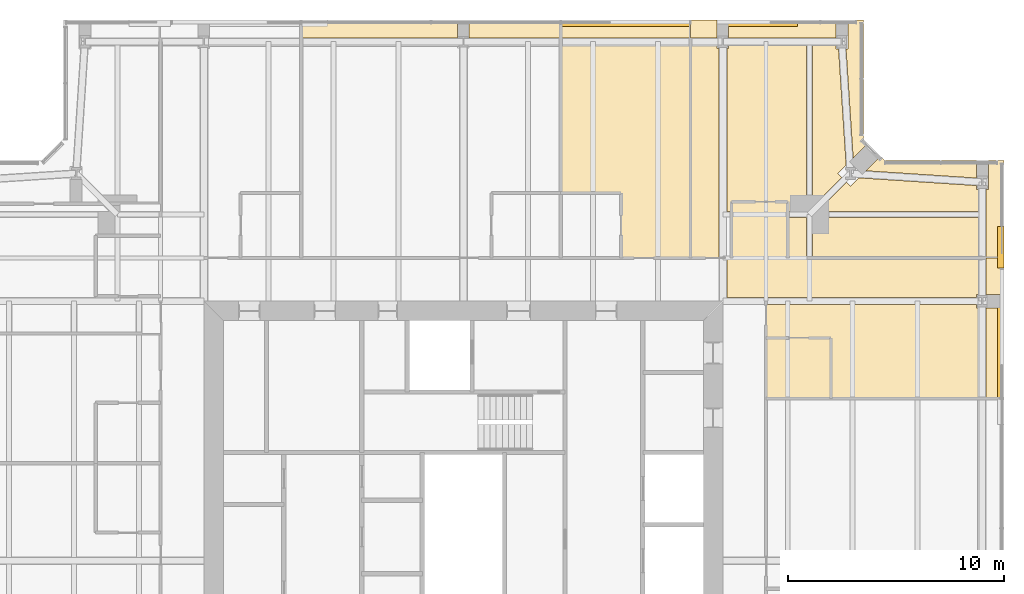
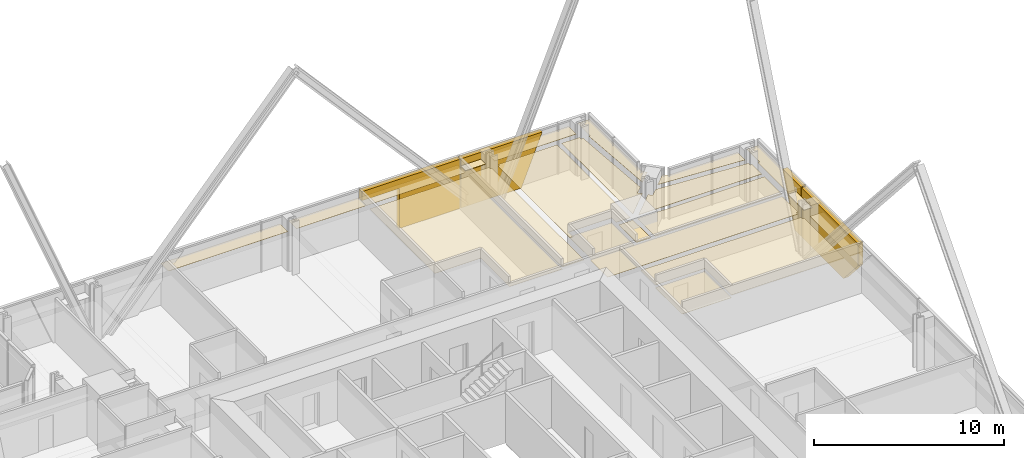
# One storey, part 18 of 18: 26 coverings.
"""IFC4 building model written with IfcOpenShell, lengths in metres."""

from ifc_helpers import new_model, si_unit, direction, frame, origin, place, context, subcontext, project, spatial, polyline, outline, extrude, material, layer, layer_set, type_object, element, save


model = new_model("IFC4")

# Units and contexts
model_context = context("Model", 3, precision=1e-05, world=origin(), true_north=direction((0.0, 1.0)))
body_context = subcontext(model_context, "Body", "Model", "MODEL_VIEW")
ifc_project = project(units=[si_unit("LENGTHUNIT", "METRE"), si_unit("AREAUNIT", "SQUARE_METRE"), si_unit("VOLUMEUNIT", "CUBIC_METRE"), si_unit("PLANEANGLEUNIT", "RADIAN"), si_unit("MASSUNIT", "GRAM", prefix="KILO")], contexts=[model_context])

# Site, building, storey
site_placement = place(None, origin())
site = spatial("IfcSite", under=ifc_project, at=site_placement, CompositionType="ELEMENT")
building_placement = place(site_placement, origin())
building = spatial("IfcBuilding", under=site, at=building_placement, Name="Fenwick Lantern Interchange", CompositionType="ELEMENT")
storey_placement = place(building_placement, frame((0.0, 0.0, 269.60009765625)))
storey = spatial("IfcBuildingStorey", under=building, at=storey_placement, Name="L64", CompositionType="ELEMENT", Elevation=269.60009765625)

# Coverings
ifc_material_1 = material(Name="Granite cladding, warm grey flamed finish, on aluminium carrier frame", Category="masonry")
ifc_layer_1 = layer(ifc_material_1, 0.300048828125)
ifc_layer_set_1 = layer_set([ifc_layer_1], Name="BRACE CASING PANEL 300")
covering_type_1 = type_object("IfcCoveringType", Name="BRACE CASING PANEL 300", PredefinedType="CLADDING", material=ifc_layer_set_1)
covering_1_placement = place(storey_placement, frame((49.89990234375, 6.60009765625, 0.0), z_axis=(0.0, 0.0, 1.0), x_axis=(0.0, 1.0, 0.0)))
element("IfcCovering", 1, at=covering_1_placement, inside=storey, type_object=covering_type_1, Name="Brace casing 05 bay 05a", PredefinedType="CLADDING", context=body_context, shape_type="SweptSolid", body=[
    extrude(outline(polyline([(27.46484375, 0.0), (31.8701171875, 0.0), (31.8701171875, 3.14990234375), (25.929931640625, 3.14990234375), (25.929931640625, 1.7392578125), (27.46484375, 0.0)])), frame((0.0, 0.2099609375, 0.0), z_axis=(0.0, -1.0, 0.0), x_axis=(1.0, 0.0, 0.0)), (0.0, 0.0, 1.0), 0.300048828125),
])
covering_2_placement = place(storey_placement, frame((49.89990234375, 6.60009765625, 0.0), z_axis=(0.0, 0.0, 1.0), x_axis=(0.0, 1.0, 0.0)))
element("IfcCovering", 2, at=covering_2_placement, inside=storey, type_object=covering_type_1, Name="Brace casing 05 bay 06a", PredefinedType="CLADDING", context=body_context, shape_type="SweptSolid", body=[
    extrude(outline(polyline([(31.929931640625, 0.0), (32.586669921875, 0.0), (33.860595703125, 3.14990234375), (31.929931640625, 3.14990234375), (31.929931640625, 0.0)])), frame((0.0, 0.2099609375, 0.0), z_axis=(0.0, -1.0, 0.0), x_axis=(1.0, 0.0, 0.0)), (0.0, 0.0, 1.0), 0.300048828125),
])
covering_3_placement = place(storey_placement, frame((43.39990234375, 49.89990234375, 0.0), z_axis=(0.0, 0.0, 1.0), x_axis=(-1.0, 0.0, 0.0)))
element("IfcCovering", 3, at=covering_3_placement, inside=storey, type_object=covering_type_1, Name="Brace casing 09 bay 01a", PredefinedType="CLADDING", context=body_context, shape_type="SweptSolid", body=[
    extrude(outline(polyline([(4.21337890625, 0.0), (7.8701171875, 0.0), (7.8701171875, 3.14990234375), (2.939453125, 3.14990234375), (4.21337890625, 0.0)])), frame((0.0, 0.2099609375, 0.0), z_axis=(0.0, -1.0, 0.0), x_axis=(1.0, 0.0, 0.0)), (0.0, 0.0, 1.0), 0.300048828125),
])
covering_4_placement = place(storey_placement, frame((43.39990234375, 49.89990234375, 0.0), z_axis=(0.0, 0.0, 1.0), x_axis=(-1.0, 0.0, 0.0)))
element("IfcCovering", 4, at=covering_4_placement, inside=storey, type_object=covering_type_1, Name="Brace casing 09 bay 02a", PredefinedType="CLADDING", context=body_context, shape_type="SweptSolid", body=[
    extrude(outline(polyline([(7.929931640625, 0.0), (11.60009765625, 0.0), (11.60009765625, 2.56689453125), (13.8701171875, 2.56689453125), (13.8701171875, 3.14990234375), (7.929931640625, 3.14990234375), (7.929931640625, 0.0)])), frame((0.0, 0.2099609375, 0.0), z_axis=(0.0, -1.0, 0.0), x_axis=(1.0, 0.0, 0.0)), (0.0, 0.0, 1.0), 0.300048828125),
])
ifc_material_2 = material(Name="Moisture resistant gypsum board on suspended frame, painted")
ifc_layer_2 = layer(ifc_material_2, 0.014892578125)
ifc_layer_set_2 = layer_set([ifc_layer_2], Name="MOISTURE RESISTANT CEILING 15")
covering_type_2 = type_object("IfcCoveringType", Name="MOISTURE RESISTANT CEILING 15", PredefinedType="CEILING", material=ifc_layer_set_2)
covering_5_placement = place(storey_placement, frame((0.0, 0.0, 2.39990234375)))
element("IfcCovering", 5, at=covering_5_placement, inside=storey, type_object=covering_type_2, Name="En-suite 6408 ceiling", PredefinedType="CEILING", context=body_context, shape_type="SweptSolid", body=[
    extrude(outline(polyline([(42.0, 32.5), (42.0, 35.300048828125), (39.0, 35.300048828125), (39.0, 32.5), (42.0, 32.5)])), origin(), (0.0, 0.0, 1.0), 0.014892578125),
])
covering_6_placement = place(storey_placement, frame((0.0, 0.0, 2.39990234375)))
element("IfcCovering", 6, at=covering_6_placement, inside=storey, type_object=covering_type_2, Name="En-suite 6409 ceiling", PredefinedType="CEILING", context=body_context, shape_type="SweptSolid", body=[
    extrude(outline(polyline([(40.0, 41.60009765625), (37.39990234375, 41.60009765625), (37.39990234375, 39.0), (40.0, 39.0), (40.0, 41.60009765625)])), origin(), (0.0, 0.0, 1.0), 0.014892578125),
])
ifc_material_3 = material(Name="Gypsum plasterboard on suspended frame, painted")
ifc_layer_3 = layer(ifc_material_3, 0.014892578125)
ifc_layer_set_3 = layer_set([ifc_layer_3], Name="PLASTERBOARD CEILING 15")
covering_type_3 = type_object("IfcCoveringType", Name="PLASTERBOARD CEILING 15", PredefinedType="CEILING", material=ifc_layer_set_3)
covering_7_placement = place(storey_placement, frame((0.0, 0.0, 2.57275390625)))
element("IfcCovering", 7, at=covering_7_placement, inside=storey, type_object=covering_type_3, Name="Corridor ceiling", PredefinedType="CEILING", context=body_context, shape_type="SweptSolid", body=[
    extrude(outline(polyline([(39.0, 39.0), (37.183837890625, 39.0), (37.183837890625, 37.166015625), (39.0, 37.166015625), (39.0, 39.0)])), origin(), (0.0, 0.0, 1.0), 0.014892578125),
])
covering_8_placement = place(storey_placement, frame((0.0, 0.0, 2.57275390625)))
element("IfcCovering", 8, at=covering_8_placement, inside=storey, type_object=covering_type_3, Name="Guest room 6408 ceiling", PredefinedType="CEILING", context=body_context, shape_type="SweptSolid", body=[
    extrude(outline(polyline([(48.72900390625, 36.6845703125), (48.72900390625, 36.833984375), (39.0, 36.833984375), (39.0, 35.300048828125), (42.0, 35.300048828125), (42.0, 32.5), (48.82763671875, 32.5), (48.82763671875, 36.6845703125), (48.72900390625, 36.6845703125)])), origin(), (0.0, 0.0, 1.0), 0.014892578125),
])
covering_9_placement = place(storey_placement, frame((0.0, 0.0, 2.57275390625)))
element("IfcCovering", 9, at=covering_9_placement, inside=storey, type_object=covering_type_3, Name="Guest room 6408 ceiling", PredefinedType="CEILING", context=body_context, shape_type="SweptSolid", body=[
    extrude(outline(polyline([(48.72900390625, 37.3154296875), (48.82763671875, 37.3154296875), (48.82763671875, 39.0), (39.0, 39.0), (39.0, 37.166015625), (48.72900390625, 37.166015625), (48.72900390625, 37.3154296875)])), origin(), (0.0, 0.0, 1.0), 0.014892578125),
])
covering_10_placement = place(storey_placement, frame((0.0, 0.0, 2.57275390625)))
element("IfcCovering", 10, at=covering_10_placement, inside=storey, type_object=covering_type_3, Name="Guest room 6408 ceiling", PredefinedType="CEILING", context=body_context, shape_type="SweptSolid", body=[
    extrude(outline(polyline([(50.0, 36.6845703125), (49.17236328125, 36.6845703125), (49.17236328125, 32.5), (50.0, 32.5), (50.0, 36.6845703125)])), origin(), (0.0, 0.0, 1.0), 0.014892578125),
])
covering_11_placement = place(storey_placement, frame((0.0, 0.0, 2.57275390625)))
element("IfcCovering", 11, at=covering_11_placement, inside=storey, type_object=covering_type_3, Name="Guest room 6408 ceiling", PredefinedType="CEILING", context=body_context, shape_type="SweptSolid", body=[
    extrude(outline(polyline([(50.0, 37.3154296875), (50.0, 39.0), (49.17236328125, 39.0), (49.17236328125, 37.3154296875), (50.0, 37.3154296875)])), origin(), (0.0, 0.0, 1.0), 0.014892578125),
])
covering_12_placement = place(storey_placement, frame((0.0, 0.0, 2.699951171875)))
element("IfcCovering", 12, at=covering_12_placement, inside=storey, type_object=covering_type_3, Name="Guest suite 6409 ceiling", PredefinedType="CEILING", context=body_context, shape_type="SweptSolid", body=[
    extrude(outline(polyline([(40.0, 41.60009765625), (40.0, 41.134521484375), (40.865478515625, 41.134521484375), (40.865478515625, 48.82763671875), (37.27099609375, 48.82763671875), (37.27099609375, 48.6845703125), (37.183837890625, 48.6845703125), (37.183837890625, 41.134521484375), (37.39990234375, 41.134521484375), (37.39990234375, 41.60009765625), (40.0, 41.60009765625)])), origin(), (0.0, 0.0, 1.0), 0.014892578125),
])
covering_13_placement = place(storey_placement, frame((0.0, 0.0, 2.699951171875)))
element("IfcCovering", 13, at=covering_13_placement, inside=storey, type_object=covering_type_3, Name="Guest suite 6409 ceiling", PredefinedType="CEILING", context=body_context, shape_type="SweptSolid", body=[
    extrude(outline(polyline([(41.134521484375, 39.0), (48.82763671875, 39.0), (48.82763671875, 40.865478515625), (41.134521484375, 40.865478515625), (41.134521484375, 39.0)])), origin(), (0.0, 0.0, 1.0), 0.014892578125),
])
covering_14_placement = place(storey_placement, frame((0.0, 0.0, 2.699951171875)))
element("IfcCovering", 14, at=covering_14_placement, inside=storey, type_object=covering_type_3, Name="Guest suite 6409 ceiling", PredefinedType="CEILING", context=body_context, shape_type="SweptSolid", body=[
    extrude(outline(polyline([(35.5, 39.0), (36.816162109375, 39.0), (36.816162109375, 48.6845703125), (36.72900390625, 48.6845703125), (36.72900390625, 48.82763671875), (35.5, 48.82763671875), (35.5, 39.0)])), origin(), (0.0, 0.0, 1.0), 0.014892578125),
])
covering_15_placement = place(storey_placement, frame((0.0, 0.0, 2.699951171875)))
element("IfcCovering", 15, at=covering_15_placement, inside=storey, type_object=covering_type_3, Name="Guest suite 6409 ceiling", PredefinedType="CEILING", context=body_context, shape_type="SweptSolid", body=[
    extrude(outline(polyline([(42.89990234375, 42.3173828125), (42.71728515625, 42.500244140625), (41.351318359375, 41.134521484375), (48.82763671875, 41.134521484375), (48.82763671875, 42.16552734375), (48.72265625, 42.16552734375), (48.72265625, 42.345458984375), (43.284423828125, 42.701904296875), (42.89990234375, 42.3173828125)])), origin(), (0.0, 0.0, 1.0), 0.014892578125),
])
covering_16_placement = place(storey_placement, frame((0.0, 0.0, 2.699951171875)))
element("IfcCovering", 16, at=covering_16_placement, inside=storey, type_object=covering_type_3, Name="Guest suite 6409 ceiling", PredefinedType="CEILING", context=body_context, shape_type="SweptSolid", body=[
    extrude(outline(polyline([(42.22265625, 48.66552734375), (42.22265625, 48.82763671875), (41.134521484375, 48.82763671875), (41.134521484375, 41.351318359375), (42.500244140625, 42.71728515625), (42.3173828125, 42.89990234375), (42.701904296875, 43.284423828125), (42.34912109375, 48.66552734375), (42.22265625, 48.66552734375)])), origin(), (0.0, 0.0, 1.0), 0.014892578125),
])
covering_17_placement = place(storey_placement, frame((0.0, 0.0, 2.699951171875)))
element("IfcCovering", 17, at=covering_17_placement, inside=storey, type_object=covering_type_3, Name="Guest suite 6409 ceiling", PredefinedType="CEILING", context=body_context, shape_type="SweptSolid", body=[
    extrude(outline(polyline([(42.77734375, 48.66552734375), (42.69482421875, 48.66552734375), (43.0263671875, 43.60888671875), (43.708740234375, 44.291259765625), (43.5, 44.5), (43.5, 50.0), (42.77734375, 50.0), (42.77734375, 48.66552734375)])), origin(), (0.0, 0.0, 1.0), 0.014892578125),
])
covering_18_placement = place(storey_placement, frame((0.0, 0.0, 2.699951171875)))
element("IfcCovering", 18, at=covering_18_placement, inside=storey, type_object=covering_type_3, Name="Guest suite 6409 ceiling", PredefinedType="CEILING", context=body_context, shape_type="SweptSolid", body=[
    extrude(outline(polyline([(37.27099609375, 50.0), (37.27099609375, 49.17236328125), (42.22265625, 49.17236328125), (42.22265625, 50.0), (37.27099609375, 50.0)])), origin(), (0.0, 0.0, 1.0), 0.014892578125),
])
covering_19_placement = place(storey_placement, frame((0.0, 0.0, 2.699951171875)))
element("IfcCovering", 19, at=covering_19_placement, inside=storey, type_object=covering_type_3, Name="Guest suite 6409 ceiling", PredefinedType="CEILING", context=body_context, shape_type="SweptSolid", body=[
    extrude(outline(polyline([(49.27734375, 43.5), (49.27734375, 42.16552734375), (49.17236328125, 42.16552734375), (49.17236328125, 39.0), (50.0, 39.0), (50.0, 43.5), (49.27734375, 43.5)])), origin(), (0.0, 0.0, 1.0), 0.014892578125),
])
covering_20_placement = place(storey_placement, frame((0.0, 0.0, 2.699951171875)))
element("IfcCovering", 20, at=covering_20_placement, inside=storey, type_object=covering_type_3, Name="Guest suite 6409 ceiling", PredefinedType="CEILING", context=body_context, shape_type="SweptSolid", body=[
    extrude(outline(polyline([(44.291259765625, 43.708740234375), (43.60888671875, 43.0263671875), (48.72265625, 42.69091796875), (48.72265625, 43.5), (44.5, 43.5), (44.291259765625, 43.708740234375)])), origin(), (0.0, 0.0, 1.0), 0.014892578125),
])
covering_21_placement = place(storey_placement, frame((0.0, 0.0, 2.699951171875)))
element("IfcCovering", 21, at=covering_21_placement, inside=storey, type_object=covering_type_3, Name="Guest suite 6409 ceiling", PredefinedType="CEILING", context=body_context, shape_type="SweptSolid", body=[
    extrude(outline(polyline([(40.0, 39.0), (40.865478515625, 39.0), (40.865478515625, 40.865478515625), (40.0, 40.865478515625), (40.0, 39.0)])), origin(), (0.0, 0.0, 1.0), 0.014892578125),
])
covering_22_placement = place(storey_placement, frame((0.0, 0.0, 2.699951171875)))
element("IfcCovering", 22, at=covering_22_placement, inside=storey, type_object=covering_type_3, Name="Guest suite 6409 ceiling", PredefinedType="CEILING", context=body_context, shape_type="SweptSolid", body=[
    extrude(outline(polyline([(35.5, 50.0), (35.5, 49.17236328125), (36.72900390625, 49.17236328125), (36.72900390625, 50.0), (35.5, 50.0)])), origin(), (0.0, 0.0, 1.0), 0.014892578125),
])
covering_23_placement = place(storey_placement, frame((0.0, 0.0, 2.57275390625)))
element("IfcCovering", 23, at=covering_23_placement, inside=storey, type_object=covering_type_3, Name="Guest room 6410 ceiling", PredefinedType="CEILING", context=body_context, shape_type="SweptSolid", body=[
    extrude(outline(polyline([(35.5, 39.0), (35.5, 48.82763671875), (29.5, 48.82763671875), (29.5, 42.0), (32.300048828125, 42.0), (32.300048828125, 39.0), (35.5, 39.0)])), origin(), (0.0, 0.0, 1.0), 0.014892578125),
])
covering_24_placement = place(storey_placement, frame((0.0, 0.0, 2.57275390625)))
element("IfcCovering", 24, at=covering_24_placement, inside=storey, type_object=covering_type_3, Name="Guest room 6410 ceiling", PredefinedType="CEILING", context=body_context, shape_type="SweptSolid", body=[
    extrude(outline(polyline([(35.5, 50.0), (29.5, 50.0), (29.5, 49.17236328125), (35.5, 49.17236328125), (35.5, 50.0)])), origin(), (0.0, 0.0, 1.0), 0.014892578125),
])
covering_25_placement = place(storey_placement, frame((0.0, 0.0, 2.57275390625)))
element("IfcCovering", 25, at=covering_25_placement, inside=storey, type_object=covering_type_3, Name="Guest suite 6411 ceiling", PredefinedType="CEILING", context=body_context, shape_type="SweptSolid", body=[
    extrude(outline(polyline([(24.73779296875, 50.0), (17.5, 50.0), (17.5, 49.17236328125), (24.73779296875, 49.17236328125), (24.73779296875, 50.0)])), origin(), (0.0, 0.0, 1.0), 0.014892578125),
])
covering_26_placement = place(storey_placement, frame((0.0, 0.0, 2.57275390625)))
element("IfcCovering", 26, at=covering_26_placement, inside=storey, type_object=covering_type_3, Name="Guest suite 6411 ceiling", PredefinedType="CEILING", context=body_context, shape_type="SweptSolid", body=[
    extrude(outline(polyline([(25.26220703125, 50.0), (25.26220703125, 49.17236328125), (29.5, 49.17236328125), (29.5, 50.0), (25.26220703125, 50.0)])), origin(), (0.0, 0.0, 1.0), 0.014892578125),
])

save(model, "model.ifc")
